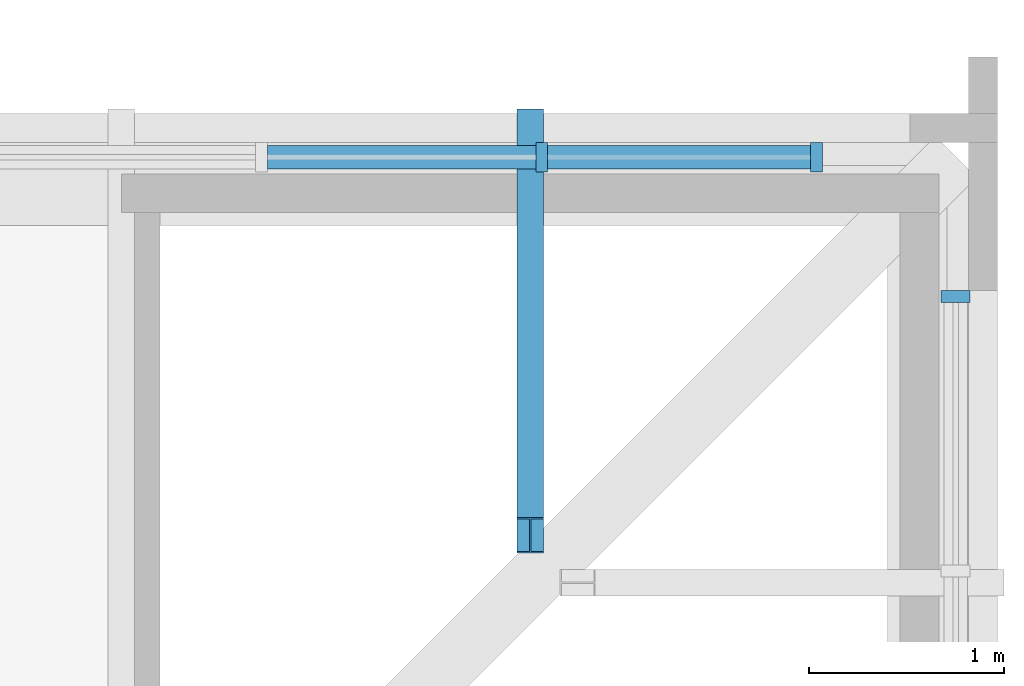
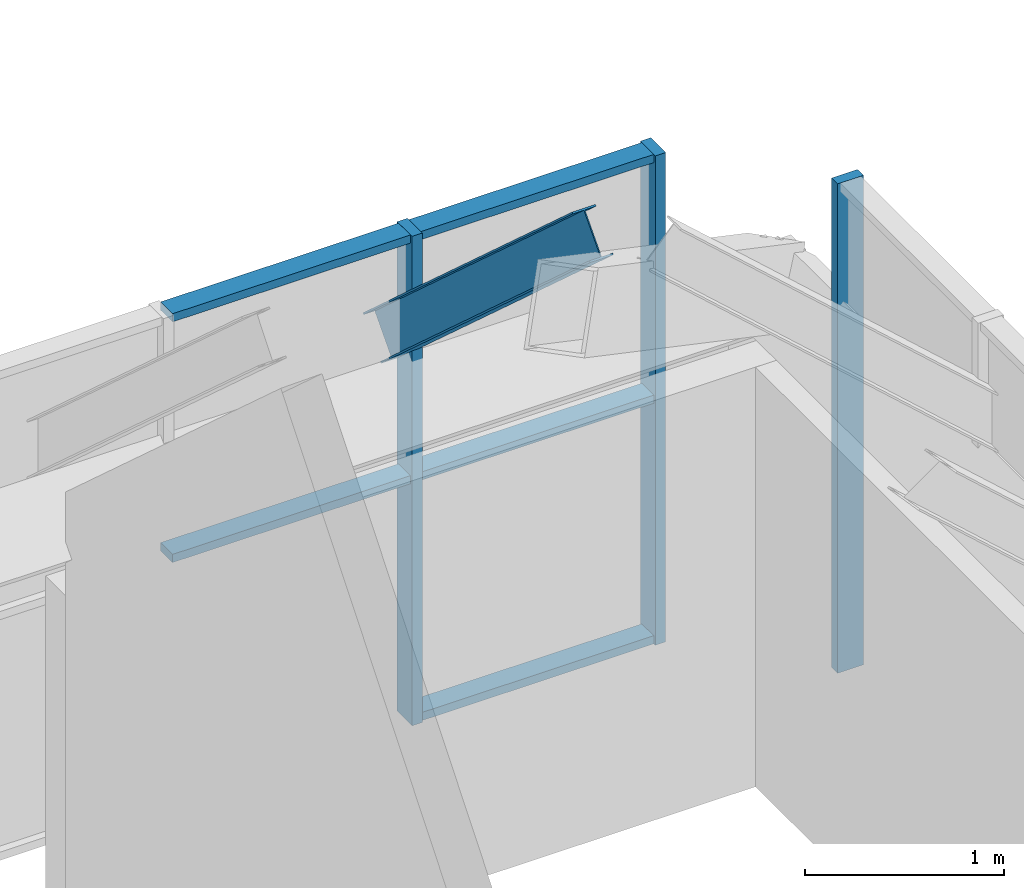
# One storey, part 39 of 126: 9 members, 2 elements without a shape of their own.
"""IFC4 building model written with IfcOpenShell, lengths in metres."""

from ifc_helpers import new_model, si_unit, direction, frame, origin, origin_2d, place, context, subcontext, project, spatial, rectangle, i_section, extrude, material, material_profile, profile_set, type_object, element, aggregate, save


model = new_model("IFC4")

# Units and contexts
model_context = context("Model", 3, precision=1e-05, world=origin(), true_north=direction((0.0, 1.0)))
body_context = subcontext(model_context, "Body", "Model", "MODEL_VIEW")
ifc_project = project(units=[si_unit("LENGTHUNIT", "METRE"), si_unit("AREAUNIT", "SQUARE_METRE"), si_unit("VOLUMEUNIT", "CUBIC_METRE"), si_unit("PLANEANGLEUNIT", "RADIAN"), si_unit("MASSUNIT", "GRAM", prefix="KILO")], contexts=[model_context])

# Site, building, storey
site_placement = place(None, origin())
site = spatial("IfcSite", under=ifc_project, at=site_placement, CompositionType="ELEMENT")
building_placement = place(site_placement, origin())
building = spatial("IfcBuilding", under=site, at=building_placement, Name="Sava Quay Ferry Terminal", CompositionType="ELEMENT")
storey_placement = place(building_placement, frame((0.0, 0.0, 15.0)))
storey = spatial("IfcBuildingStorey", under=building, at=storey_placement, Name="L03", CompositionType="ELEMENT", Elevation=15.0)

# Curtain wall, member
ifc_material_1 = material(Name="Aluminium and glass curtain wall, double low-e glazed", Category="aluminium")
curtain_wall_type = type_object("IfcCurtainWallType", Name="Curtain wall CW-F flank", PredefinedType="NOTDEFINED", material=ifc_material_1)
curtain_wall_1_placement = place(storey_placement, origin())
curtain_wall_1 = element("IfcCurtainWall", 1, at=curtain_wall_1_placement, inside=storey, type_object=curtain_wall_type, Name="Curtain wall P-PAV-E L03 bay 2", PredefinedType="NOTDEFINED")
ifc_material_2 = material(Name="Aluminium EN AW-6063 T6", Category="aluminium")
ifc_material_profile_1 = material_profile(ifc_material_2, rectangle(XDim=0.14990234375, YDim=0.06005859375, at=origin_2d()), Name="Mullion 60x150 aluminium")
ifc_profile_set_1 = profile_set([ifc_material_profile_1], Name="Aluminium EN AW-6063 T6")
member_type_1 = type_object("IfcMemberType", Name="Mullion 60x150 aluminium", PredefinedType="MULLION", material=ifc_profile_set_1)
member_1_placement = place(storey_placement, frame((126.0849609375, 49.77001953125, 0.89990234375), z_axis=(0.0, 0.0, 1.0), x_axis=(-1.0, 0.0, 0.0)))
member_1 = element("IfcMember", 2, at=member_1_placement, type_object=member_type_1, Name="CW114 mullion 6", PredefinedType="MULLION", context=body_context, shape_type="SweptSolid", body=[
    extrude(rectangle(XDim=0.14990234375, YDim=0.06005859375, at=origin_2d()), origin(), (0.0, 0.0, 1.0), 3.0),
])
aggregate(curtain_wall_1, [member_1])

# Curtain wall, members
curtain_wall_2_placement = place(storey_placement, origin())
curtain_wall_2 = element("IfcCurtainWall", 3, at=curtain_wall_2_placement, inside=storey, type_object=curtain_wall_type, Name="Curtain wall P-PAV-N L03 bay 2", PredefinedType="NOTDEFINED")
member_2_placement = place(storey_placement, frame((123.9599609375, 50.485107421875, 0.89990234375), z_axis=(0.0, 0.0, 1.0), x_axis=(0.0, 1.0, 0.0)))
member_2 = element("IfcMember", 4, at=member_2_placement, type_object=member_type_1, Name="CW116 mullion 5", PredefinedType="MULLION", context=body_context, shape_type="SweptSolid", body=[
    extrude(rectangle(XDim=0.14990234375, YDim=0.06005859375, at=origin_2d()), origin(), (0.0, 0.0, 1.0), 3.0),
])
member_3_placement = place(storey_placement, frame((125.3701171875, 50.485107421875, 0.89990234375), z_axis=(0.0, 0.0, 1.0), x_axis=(0.0, 1.0, 0.0)))
member_3 = element("IfcMember", 5, at=member_3_placement, type_object=member_type_1, Name="CW116 mullion 6", PredefinedType="MULLION", context=body_context, shape_type="SweptSolid", body=[
    extrude(rectangle(XDim=0.14990234375, YDim=0.06005859375, at=origin_2d()), origin(), (0.0, 0.0, 1.0), 3.0),
])

# Member
ifc_material_3 = material(Name="Steel S355", Category="steel")
ifc_material_profile_2 = material_profile(ifc_material_3, i_section(OverallWidth=0.135009765625, OverallDepth=0.27001953125, WebThickness=0.006591796875, FlangeThickness=0.01025390625, at=origin_2d()), Name="IPE 270")
ifc_profile_set_2 = profile_set([ifc_material_profile_2], Name="Steel S355")
member_type_2 = type_object("IfcMemberType", Name="Roof rafter IPE 270", PredefinedType="RAFTER", material=ifc_profile_set_2)
member_4_placement = place(storey_placement, frame((123.89990234375, 50.643310546875, 3.170166015625), z_axis=(0.0, -0.743156664694, 0.669117457342), x_axis=(1.0, 0.0, 0.0)))
element("IfcMember", 6, at=member_4_placement, inside=storey, type_object=member_type_2, Name="East pavilion rafter RA15", PredefinedType="RAFTER", context=body_context, shape_type="SweptSolid", body=[
    extrude(i_section(OverallWidth=0.135009765625, OverallDepth=0.27001953125, WebThickness=0.006591796875, FlangeThickness=0.01025390625, at=origin_2d()), origin(), (0.0, 0.0, 1.0), 2.825927734375),
])

ifc_material_4 = material(Name="Aluminium EN AW-6063 T6", Category="aluminium")
ifc_material_profile_3 = material_profile(ifc_material_4, rectangle(XDim=0.1201171875, YDim=0.050048828125, at=origin_2d()), Name="Transom 50x120 aluminium")
ifc_profile_set_3 = profile_set([ifc_material_profile_3], Name="Aluminium EN AW-6063 T6")
member_type_3 = type_object("IfcMemberType", Name="Transom 50x120 aluminium", PredefinedType="USERDEFINED", material=ifc_profile_set_3)
member_5_placement = place(storey_placement, frame((122.550048828125, 50.485107421875, 2.39990234375), z_axis=(1.0, 0.0, 0.0), x_axis=(0.0, 1.0, 0.0)))
member_5 = element("IfcMember", 7, at=member_5_placement, type_object=member_type_3, Name="CW116 transom 4.2", ObjectType="TRANSOM", PredefinedType="USERDEFINED", context=body_context, shape_type="SweptSolid", body=[
    extrude(rectangle(XDim=0.1201171875, YDim=0.050048828125, at=origin_2d()), origin(), (0.0, 0.0, 1.0), 1.3798828125),
])

member_6_placement = place(storey_placement, frame((122.550048828125, 50.485107421875, 3.875), z_axis=(1.0, 0.0, 0.0), x_axis=(0.0, 1.0, 0.0)))
member_6 = element("IfcMember", 8, at=member_6_placement, type_object=member_type_3, Name="CW116 transom 4.3", ObjectType="TRANSOM", PredefinedType="USERDEFINED", context=body_context, shape_type="SweptSolid", body=[
    extrude(rectangle(XDim=0.1201171875, YDim=0.050048828125, at=origin_2d()), origin(), (0.0, 0.0, 1.0), 1.3798828125),
])

member_7_placement = place(storey_placement, frame((123.989990234375, 50.485107421875, 0.925048828125), z_axis=(1.0, 0.0, 0.0), x_axis=(0.0, 1.0, 0.0)))
member_7 = element("IfcMember", 9, at=member_7_placement, type_object=member_type_3, Name="CW116 transom 5.1", ObjectType="TRANSOM", PredefinedType="USERDEFINED", context=body_context, shape_type="SweptSolid", body=[
    extrude(rectangle(XDim=0.1201171875, YDim=0.050048828125, at=origin_2d()), origin(), (0.0, 0.0, 1.0), 1.35009765625),
])

member_8_placement = place(storey_placement, frame((123.989990234375, 50.485107421875, 2.39990234375), z_axis=(1.0, 0.0, 0.0), x_axis=(0.0, 1.0, 0.0)))
member_8 = element("IfcMember", 10, at=member_8_placement, type_object=member_type_3, Name="CW116 transom 5.2", ObjectType="TRANSOM", PredefinedType="USERDEFINED", context=body_context, shape_type="SweptSolid", body=[
    extrude(rectangle(XDim=0.1201171875, YDim=0.050048828125, at=origin_2d()), origin(), (0.0, 0.0, 1.0), 1.35009765625),
])

member_9_placement = place(storey_placement, frame((123.989990234375, 50.485107421875, 3.875), z_axis=(1.0, 0.0, 0.0), x_axis=(0.0, 1.0, 0.0)))
member_9 = element("IfcMember", 11, at=member_9_placement, type_object=member_type_3, Name="CW116 transom 5.3", ObjectType="TRANSOM", PredefinedType="USERDEFINED", context=body_context, shape_type="SweptSolid", body=[
    extrude(rectangle(XDim=0.1201171875, YDim=0.050048828125, at=origin_2d()), origin(), (0.0, 0.0, 1.0), 1.35009765625),
])

aggregate(curtain_wall_2, [member_2, member_3, member_5, member_6, member_7, member_8, member_9])

save(model, "model.ifc")
